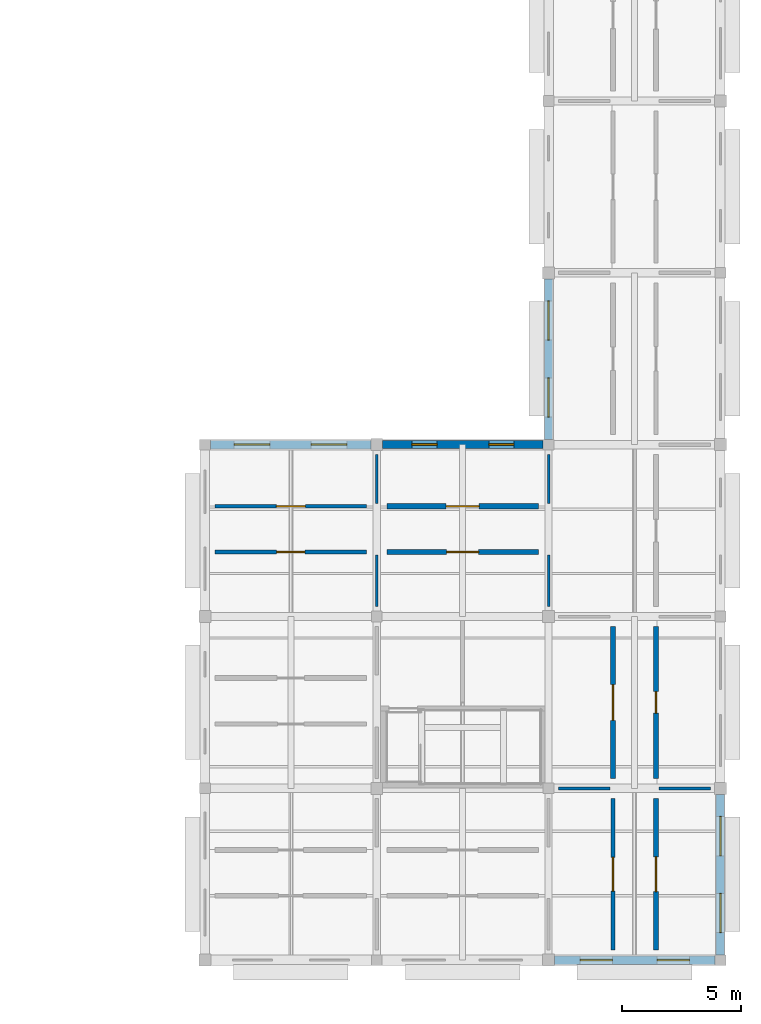
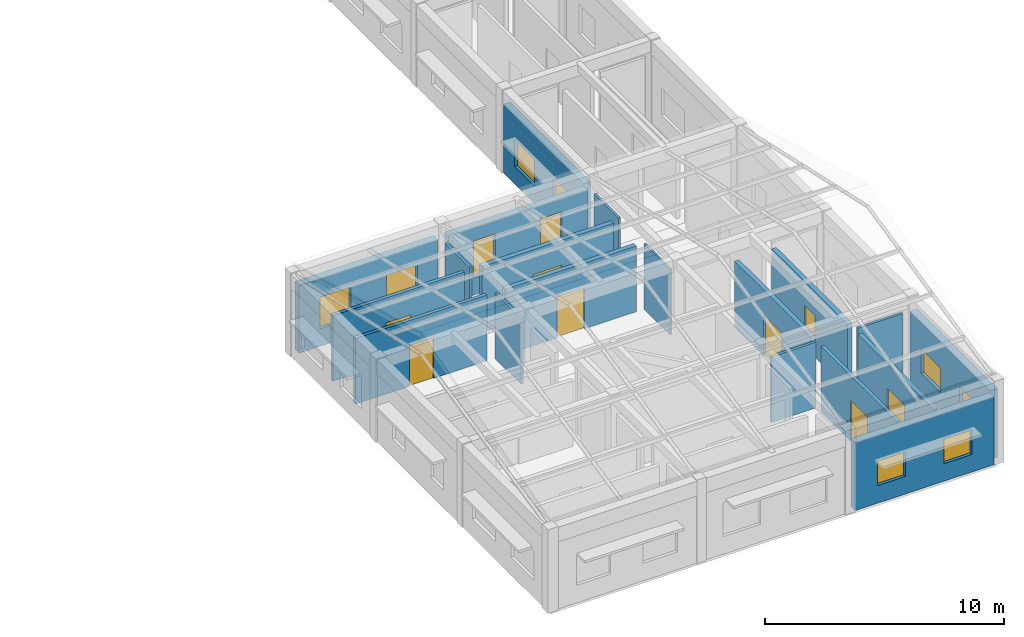
# One storey, part 134 of 171: 19 walls, 10 windows, 8 doors, 18 openings.
"""IFC4 building model written with IfcOpenShell, lengths in metres."""

from ifc_helpers import new_model, si_unit, direction, frame, frame_2d, origin, place, context, subcontext, project, spatial, rectangle, extrude, material, layer, layer_set, type_object, element, fill, save


model = new_model("IFC4")

# Units and contexts
model_context = context("Model", 3, precision=1e-05, world=origin(), true_north=direction((0.0, 1.0)))
body_context = subcontext(model_context, "Body", "Model", "MODEL_VIEW")
ifc_project = project(units=[si_unit("LENGTHUNIT", "METRE"), si_unit("AREAUNIT", "SQUARE_METRE"), si_unit("VOLUMEUNIT", "CUBIC_METRE"), si_unit("PLANEANGLEUNIT", "RADIAN"), si_unit("MASSUNIT", "GRAM", prefix="KILO")], contexts=[model_context])

# Site, building, storey
site_placement = place(None, origin())
site = spatial("IfcSite", under=ifc_project, at=site_placement, CompositionType="ELEMENT")
building_placement = place(site_placement, origin())
building = spatial("IfcBuilding", under=site, at=building_placement, Name="Aldebral Square Health Centre", CompositionType="ELEMENT")
storey_placement = place(building_placement, frame((0.0, 0.0, 4.5)))
storey = spatial("IfcBuildingStorey", under=building, at=storey_placement, Name="L01", CompositionType="ELEMENT", Elevation=4.5)

# Wall, openings, windows
ifc_material_1 = material(Name="Cream cantera stone and concrete wall C35/45", Category="masonry")
ifc_layer_1 = layer(ifc_material_1, 0.340087890625, Name="Cream cantera stone and concrete wall C35/45", Category="masonry")
ifc_layer_set_1 = layer_set([ifc_layer_1], Name="Cream cantera stone and concrete wall C35/45")
wall_type_1 = type_object("IfcWallType", Name="EW-CAN-340", PredefinedType="SOLIDWALL", material=ifc_layer_set_1)
wall_1_placement = place(storey_placement, frame((158.175048828125, 21.60009765625, 0.0), z_axis=(0.0, 0.0, 1.0), x_axis=(-1.0, 0.0, 0.0)))
wall_1 = element("IfcWall", 1, at=wall_1_placement, inside=storey, type_object=wall_type_1, Name="L01 V3 exterior wall L01-V3-21-02-N", PredefinedType="SOLIDWALL", context=body_context, shape_type="SweptSolid", body=[
    extrude(rectangle(XDim=6.72509765625, YDim=0.340087890625, at=frame_2d((3.362548828125, 0.0))), origin(), (0.0, 0.0, 1.0), 3.469970703125),
])
opening_1_placement = place(wall_1_placement, frame((1.22509765625, 0.0, 0.89990234375)))
opening_1 = element("IfcOpeningElement", 2, at=opening_1_placement, cuts=wall_1, Name="Opening W47", PredefinedType="OPENING", context=body_context, shape_type="SweptSolid", body=[
    extrude(rectangle(XDim=1.050048828125, YDim=1.8798828125, at=frame_2d((0.52490234375, 0.93994140625))), frame((0.0, 0.18017578125, 0.0), z_axis=(0.0, -1.0, 0.0), x_axis=(1.0, 0.0, 0.0)), (0.0, 0.0, 1.0), 0.360107421875),
])
opening_2_placement = place(wall_1_placement, frame((4.449951171875, 0.0, 0.89990234375)))
opening_2 = element("IfcOpeningElement", 3, at=opening_2_placement, cuts=wall_1, Name="Opening W47", PredefinedType="OPENING", context=body_context, shape_type="SweptSolid", body=[
    extrude(rectangle(XDim=1.050048828125, YDim=1.8798828125, at=frame_2d((0.52490234375, 0.93994140625))), frame((0.0, 0.18017578125, 0.0), z_axis=(0.0, -1.0, 0.0), x_axis=(1.0, 0.0, 0.0)), (0.0, 0.0, 1.0), 0.360107421875),
])
ifc_material_2 = material(Name="Thermally broken aluminium and low-E glass", Category="aluminium")
window_type_1 = type_object("IfcWindowType", Name="WIN-W47", PartitioningType="SINGLE_PANEL", PredefinedType="WINDOW", material=ifc_material_2)
window_1_placement = place(opening_1_placement, origin())
window_1 = element("IfcWindow", 4, at=window_1_placement, inside=storey, type_object=window_type_1, Name="L01 clinical window L01-V3-21-02-N.1", OverallHeight=1.8798828125, OverallWidth=1.050048828125, PartitioningType="SINGLE_PANEL", PredefinedType="WINDOW", context=body_context, shape_type="SweptSolid", body=[
    extrude(rectangle(XDim=1.050048828125, YDim=1.8798828125, at=frame_2d((0.52490234375, 0.93994140625))), frame((0.0, 0.030029296875, 0.0), z_axis=(0.0, -1.0, 0.0), x_axis=(1.0, 0.0, 0.0)), (0.0, 0.0, 1.0), 0.06005859375),
])
fill(opening_1, window_1)
window_2_placement = place(opening_2_placement, origin())
window_2 = element("IfcWindow", 5, at=window_2_placement, inside=storey, type_object=window_type_1, Name="L01 clinical window L01-V3-21-02-N.2", OverallHeight=1.8798828125, OverallWidth=1.050048828125, PartitioningType="SINGLE_PANEL", PredefinedType="WINDOW", context=body_context, shape_type="SweptSolid", body=[
    extrude(rectangle(XDim=1.050048828125, YDim=1.8798828125, at=frame_2d((0.52490234375, 0.93994140625))), frame((0.0, 0.030029296875, 0.0), z_axis=(0.0, -1.0, 0.0), x_axis=(1.0, 0.0, 0.0)), (0.0, 0.0, 1.0), 0.06005859375),
])
fill(opening_2, window_2)

wall_2_placement = place(storey_placement, frame((158.39990234375, 28.550048828125, 0.0), z_axis=(0.0, 0.0, 1.0), x_axis=(0.0, -1.0, 0.0)))
wall_2 = element("IfcWall", 6, at=wall_2_placement, inside=storey, type_object=wall_type_1, Name="L01 V3 exterior wall L01-V3-22-03-W", PredefinedType="SOLIDWALL", context=body_context, shape_type="SweptSolid", body=[
    extrude(rectangle(XDim=6.72509765625, YDim=0.340087890625, at=frame_2d((3.362548828125, 0.0))), origin(), (0.0, 0.0, 1.0), 3.52001953125),
])
opening_3_placement = place(wall_2_placement, frame((0.925048828125, 0.0, 0.89990234375)))
opening_3 = element("IfcOpeningElement", 7, at=opening_3_placement, cuts=wall_2, Name="Opening W15", PredefinedType="OPENING", context=body_context, shape_type="SweptSolid", body=[
    extrude(rectangle(XDim=1.64990234375, YDim=1.3798828125, at=frame_2d((0.824951171875, 0.68994140625))), frame((0.0, 0.18017578125, 0.0), z_axis=(0.0, -1.0, 0.0), x_axis=(1.0, 0.0, 0.0)), (0.0, 0.0, 1.0), 0.360107421875),
])
opening_4_placement = place(wall_2_placement, frame((4.14990234375, 0.0, 0.89990234375)))
opening_4 = element("IfcOpeningElement", 8, at=opening_4_placement, cuts=wall_2, Name="Opening W15", PredefinedType="OPENING", context=body_context, shape_type="SweptSolid", body=[
    extrude(rectangle(XDim=1.64990234375, YDim=1.3798828125, at=frame_2d((0.824951171875, 0.68994140625))), frame((0.0, 0.18017578125, 0.0), z_axis=(0.0, -1.0, 0.0), x_axis=(1.0, 0.0, 0.0)), (0.0, 0.0, 1.0), 0.360107421875),
])
window_type_2 = type_object("IfcWindowType", Name="WIN-W15", PartitioningType="SINGLE_PANEL", PredefinedType="WINDOW", material=ifc_material_2)
window_3_placement = place(opening_3_placement, origin())
window_3 = element("IfcWindow", 9, at=window_3_placement, inside=storey, type_object=window_type_2, Name="L01 clinical window L01-V3-22-03-W.1", OverallHeight=1.3798828125, OverallWidth=1.64990234375, PartitioningType="SINGLE_PANEL", PredefinedType="WINDOW", context=body_context, shape_type="SweptSolid", body=[
    extrude(rectangle(XDim=1.64990234375, YDim=1.3798828125, at=frame_2d((0.824951171875, 0.68994140625))), frame((0.0, 0.030029296875, 0.0), z_axis=(0.0, -1.0, 0.0), x_axis=(1.0, 0.0, 0.0)), (0.0, 0.0, 1.0), 0.06005859375),
])
fill(opening_3, window_3)
window_4_placement = place(opening_4_placement, origin())
window_4 = element("IfcWindow", 10, at=window_4_placement, inside=storey, type_object=window_type_2, Name="L01 clinical window L01-V3-22-03-W.2", OverallHeight=1.3798828125, OverallWidth=1.64990234375, PartitioningType="SINGLE_PANEL", PredefinedType="WINDOW", context=body_context, shape_type="SweptSolid", body=[
    extrude(rectangle(XDim=1.64990234375, YDim=1.3798828125, at=frame_2d((0.824951171875, 0.68994140625))), frame((0.0, 0.030029296875, 0.0), z_axis=(0.0, -1.0, 0.0), x_axis=(1.0, 0.0, 0.0)), (0.0, 0.0, 1.0), 0.06005859375),
])
fill(opening_4, window_4)

ifc_layer_2 = layer(ifc_material_1, 0.360107421875, Name="Cream cantera stone and concrete wall C35/45", Category="masonry")
ifc_layer_set_2 = layer_set([ifc_layer_2], Name="Cream cantera stone and concrete wall C35/45")
wall_type_2 = type_object("IfcWallType", Name="EW-CAN-360", PredefinedType="SOLIDWALL", material=ifc_layer_set_2)
wall_3_placement = place(storey_placement, frame((150.949951171875, 21.60009765625, 0.0), z_axis=(0.0, 0.0, 1.0), x_axis=(-1.0, 0.0, 0.0)))
wall_3 = element("IfcWall", 11, at=wall_3_placement, inside=storey, type_object=wall_type_2, Name="L01 V3 exterior wall L01-V3-20-02-N", PredefinedType="SOLIDWALL", context=body_context, shape_type="SweptSolid", body=[
    extrude(rectangle(XDim=6.724853515625, YDim=0.360107421875, at=frame_2d((3.3623046875, 0.0))), origin(), (0.0, 0.0, 1.0), 3.469970703125),
])
opening_5_placement = place(wall_3_placement, frame((1.0, 0.0, 0.89990234375)))
opening_5 = element("IfcOpeningElement", 12, at=opening_5_placement, cuts=wall_3, Name="Opening W32", PredefinedType="OPENING", context=body_context, shape_type="SweptSolid", body=[
    extrude(rectangle(XDim=1.5, YDim=1.6201171875, at=frame_2d((0.75, 0.81005859375))), frame((0.0, 0.18994140625, 0.0), z_axis=(0.0, -1.0, 0.0), x_axis=(1.0, 0.0, 0.0)), (0.0, 0.0, 1.0), 0.380126953125),
])
opening_6_placement = place(wall_3_placement, frame((4.22509765625, 0.0, 0.89990234375)))
opening_6 = element("IfcOpeningElement", 13, at=opening_6_placement, cuts=wall_3, Name="Opening W32", PredefinedType="OPENING", context=body_context, shape_type="SweptSolid", body=[
    extrude(rectangle(XDim=1.5, YDim=1.6201171875, at=frame_2d((0.75, 0.81005859375))), frame((0.0, 0.18994140625, 0.0), z_axis=(0.0, -1.0, 0.0), x_axis=(1.0, 0.0, 0.0)), (0.0, 0.0, 1.0), 0.380126953125),
])
window_type_3 = type_object("IfcWindowType", Name="WIN-W32", PartitioningType="SINGLE_PANEL", PredefinedType="WINDOW", material=ifc_material_2)
window_5_placement = place(opening_5_placement, origin())
window_5 = element("IfcWindow", 14, at=window_5_placement, inside=storey, type_object=window_type_3, Name="L01 clinical window L01-V3-20-02-N.1", OverallHeight=1.6201171875, OverallWidth=1.5, PartitioningType="SINGLE_PANEL", PredefinedType="WINDOW", context=body_context, shape_type="SweptSolid", body=[
    extrude(rectangle(XDim=1.5, YDim=1.6201171875, at=frame_2d((0.75, 0.81005859375))), frame((0.0, 0.030029296875, 0.0), z_axis=(0.0, -1.0, 0.0), x_axis=(1.0, 0.0, 0.0)), (0.0, 0.0, 1.0), 0.06005859375),
])
fill(opening_5, window_5)
window_6_placement = place(opening_6_placement, origin())
window_6 = element("IfcWindow", 15, at=window_6_placement, inside=storey, type_object=window_type_3, Name="L01 clinical window L01-V3-20-02-N.2", OverallHeight=1.6201171875, OverallWidth=1.5, PartitioningType="SINGLE_PANEL", PredefinedType="WINDOW", context=body_context, shape_type="SweptSolid", body=[
    extrude(rectangle(XDim=1.5, YDim=1.6201171875, at=frame_2d((0.75, 0.81005859375))), frame((0.0, 0.030029296875, 0.0), z_axis=(0.0, -1.0, 0.0), x_axis=(1.0, 0.0, 0.0)), (0.0, 0.0, 1.0), 0.06005859375),
])
fill(opening_6, window_6)

wall_4_placement = place(storey_placement, frame((158.64990234375, 0.0, 0.0), z_axis=(0.0, 0.0, 1.0), x_axis=(1.0, 0.0, 0.0)))
wall_4 = element("IfcWall", 16, at=wall_4_placement, inside=storey, type_object=wall_type_2, Name="L01 V3 exterior wall L01-V3-22-00-S", PredefinedType="SOLIDWALL", context=body_context, shape_type="SweptSolid", body=[
    extrude(rectangle(XDim=6.72509765625, YDim=0.360107421875, at=frame_2d((3.362548828125, 0.0))), origin(), (0.0, 0.0, 1.0), 3.469970703125),
])
opening_7_placement = place(wall_4_placement, frame((1.074951171875, 0.0, 0.89990234375)))
opening_7 = element("IfcOpeningElement", 17, at=opening_7_placement, cuts=wall_4, Name="Opening W04", PredefinedType="OPENING", context=body_context, shape_type="SweptSolid", body=[
    extrude(rectangle(XDim=1.35009765625, YDim=1.25, at=frame_2d((0.675048828125, 0.625))), frame((0.0, 0.18994140625, 0.0), z_axis=(0.0, -1.0, 0.0), x_axis=(1.0, 0.0, 0.0)), (0.0, 0.0, 1.0), 0.380126953125),
])
opening_8_placement = place(wall_4_placement, frame((4.300048828125, 0.0, 0.89990234375)))
opening_8 = element("IfcOpeningElement", 18, at=opening_8_placement, cuts=wall_4, Name="Opening W04", PredefinedType="OPENING", context=body_context, shape_type="SweptSolid", body=[
    extrude(rectangle(XDim=1.35009765625, YDim=1.25, at=frame_2d((0.675048828125, 0.625))), frame((0.0, 0.18994140625, 0.0), z_axis=(0.0, -1.0, 0.0), x_axis=(1.0, 0.0, 0.0)), (0.0, 0.0, 1.0), 0.380126953125),
])
window_type_4 = type_object("IfcWindowType", Name="WIN-W04", PartitioningType="SINGLE_PANEL", PredefinedType="WINDOW", material=ifc_material_2)
window_7_placement = place(opening_7_placement, origin())
window_7 = element("IfcWindow", 19, at=window_7_placement, inside=storey, type_object=window_type_4, Name="L01 clinical window L01-V3-22-00-S.1", OverallHeight=1.25, OverallWidth=1.35009765625, PartitioningType="SINGLE_PANEL", PredefinedType="WINDOW", context=body_context, shape_type="SweptSolid", body=[
    extrude(rectangle(XDim=1.35009765625, YDim=1.25, at=frame_2d((0.675048828125, 0.625))), frame((0.0, 0.030029296875, 0.0), z_axis=(0.0, -1.0, 0.0), x_axis=(1.0, 0.0, 0.0)), (0.0, 0.0, 1.0), 0.06005859375),
])
fill(opening_7, window_7)
window_8_placement = place(opening_8_placement, origin())
window_8 = element("IfcWindow", 20, at=window_8_placement, inside=storey, type_object=window_type_4, Name="L01 clinical window L01-V3-22-00-S.2", OverallHeight=1.25, OverallWidth=1.35009765625, PartitioningType="SINGLE_PANEL", PredefinedType="WINDOW", context=body_context, shape_type="SweptSolid", body=[
    extrude(rectangle(XDim=1.35009765625, YDim=1.25, at=frame_2d((0.675048828125, 0.625))), frame((0.0, 0.030029296875, 0.0), z_axis=(0.0, -1.0, 0.0), x_axis=(1.0, 0.0, 0.0)), (0.0, 0.0, 1.0), 0.06005859375),
])
fill(opening_8, window_8)

wall_5_placement = place(storey_placement, frame((165.60009765625, 0.22509765625, 0.0), z_axis=(0.0, 0.0, 1.0), x_axis=(0.0, 1.0, 0.0)))
wall_5 = element("IfcWall", 21, at=wall_5_placement, inside=storey, type_object=wall_type_2, Name="L01 V3 exterior wall L01-V3-22-00-E", PredefinedType="SOLIDWALL", context=body_context, shape_type="SweptSolid", body=[
    extrude(rectangle(XDim=6.724853515625, YDim=0.360107421875, at=frame_2d((3.3623046875, 0.0))), origin(), (0.0, 0.0, 1.0), 3.52001953125),
])
opening_9_placement = place(wall_5_placement, frame((0.925048828125, 0.0, 0.89990234375)))
opening_9 = element("IfcOpeningElement", 22, at=opening_9_placement, cuts=wall_5, Name="Opening W06", PredefinedType="OPENING", context=body_context, shape_type="SweptSolid", body=[
    extrude(rectangle(XDim=1.64990234375, YDim=1.25, at=frame_2d((0.824951171875, 0.625))), frame((0.0, 0.18994140625, 0.0), z_axis=(0.0, -1.0, 0.0), x_axis=(1.0, 0.0, 0.0)), (0.0, 0.0, 1.0), 0.380126953125),
])
opening_10_placement = place(wall_5_placement, frame((4.14990234375, 0.0, 0.89990234375)))
opening_10 = element("IfcOpeningElement", 23, at=opening_10_placement, cuts=wall_5, Name="Opening W06", PredefinedType="OPENING", context=body_context, shape_type="SweptSolid", body=[
    extrude(rectangle(XDim=1.64990234375, YDim=1.25, at=frame_2d((0.824951171875, 0.625))), frame((0.0, 0.18994140625, 0.0), z_axis=(0.0, -1.0, 0.0), x_axis=(1.0, 0.0, 0.0)), (0.0, 0.0, 1.0), 0.380126953125),
])
window_type_5 = type_object("IfcWindowType", Name="WIN-W06", PartitioningType="SINGLE_PANEL", PredefinedType="WINDOW", material=ifc_material_2)
window_9_placement = place(opening_9_placement, origin())
window_9 = element("IfcWindow", 24, at=window_9_placement, inside=storey, type_object=window_type_5, Name="L01 clinical window L01-V3-22-00-E.1", OverallHeight=1.25, OverallWidth=1.64990234375, PartitioningType="SINGLE_PANEL", PredefinedType="WINDOW", context=body_context, shape_type="SweptSolid", body=[
    extrude(rectangle(XDim=1.64990234375, YDim=1.25, at=frame_2d((0.824951171875, 0.625))), frame((0.0, 0.030029296875, 0.0), z_axis=(0.0, -1.0, 0.0), x_axis=(1.0, 0.0, 0.0)), (0.0, 0.0, 1.0), 0.06005859375),
])
fill(opening_9, window_9)
window_10_placement = place(opening_10_placement, origin())
window_10 = element("IfcWindow", 25, at=window_10_placement, inside=storey, type_object=window_type_5, Name="L01 clinical window L01-V3-22-00-E.2", OverallHeight=1.25, OverallWidth=1.64990234375, PartitioningType="SINGLE_PANEL", PredefinedType="WINDOW", context=body_context, shape_type="SweptSolid", body=[
    extrude(rectangle(XDim=1.64990234375, YDim=1.25, at=frame_2d((0.824951171875, 0.625))), frame((0.0, 0.030029296875, 0.0), z_axis=(0.0, -1.0, 0.0), x_axis=(1.0, 0.0, 0.0)), (0.0, 0.0, 1.0), 0.06005859375),
])
fill(opening_10, window_10)

# Wall, opening, door
ifc_material_3 = material(Name="Concrete C35/45 compartment wall", Category="concrete")
ifc_layer_3 = layer(ifc_material_3, 0.219970703125, Name="Concrete C35/45 compartment wall", Category="concrete")
ifc_layer_set_3 = layer_set([ifc_layer_3], Name="Concrete C35/45 compartment wall")
wall_type_3 = type_object("IfcWallType", Name="IW-CMP-220", PredefinedType="SOLIDWALL", material=ifc_layer_set_3)
wall_6_placement = place(storey_placement, frame((151.6201171875, 17.10009765625, 0.0), z_axis=(0.0, 0.0, 1.0), x_axis=(1.0, 0.0, 0.0)))
wall_6 = element("IfcWall", 26, at=wall_6_placement, inside=storey, type_object=wall_type_3, Name="L01 Therapy Pavilion Studio 22.3S corridor wall", PredefinedType="SOLIDWALL", context=body_context, shape_type="SweptSolid", body=[
    extrude(rectangle(XDim=6.35986328125, YDim=0.219970703125, at=frame_2d((3.179931640625, 0.0))), origin(), (0.0, 0.0, 1.0), 3.360107421875),
])
opening_11_placement = place(wall_6_placement, frame((2.510009765625, 0.0, 0.0)))
opening_11 = element("IfcOpeningElement", 27, at=opening_11_placement, cuts=wall_6, Name="Opening D-0249", PredefinedType="OPENING", context=body_context, shape_type="SweptSolid", body=[
    extrude(rectangle(XDim=1.340087890625, YDim=2.090087890625, at=frame_2d((0.669921875, 1.044921875))), frame((0.0, 0.1201171875, 0.0), z_axis=(0.0, -1.0, 0.0), x_axis=(1.0, 0.0, 0.0)), (0.0, 0.0, 1.0), 0.239990234375),
])
ifc_material_4 = material(Name="Clinical suite fire door")
door_type_1 = type_object("IfcDoorType", Name="ID-EXD-27", OperationType="NOTDEFINED", PredefinedType="DOOR", material=ifc_material_4)
door_1_placement = place(opening_11_placement, origin())
door_1 = element("IfcDoor", 28, at=door_1_placement, inside=storey, type_object=door_type_1, Name="L01 Therapy Pavilion Studio 22.3S door", OperationType="SINGLE_SWING_RIGHT", OverallHeight=2.090087890625, OverallWidth=1.340087890625, PredefinedType="DOOR", context=body_context, shape_type="SweptSolid", body=[
    extrude(rectangle(XDim=1.340087890625, YDim=2.090087890625, at=frame_2d((0.669921875, 1.044921875))), frame((0.0, 0.02490234375, 0.0), z_axis=(0.0, -1.0, 0.0), x_axis=(1.0, 0.0, 0.0)), (0.0, 0.0, 1.0), 0.050048828125),
])
fill(opening_11, door_1)

wall_7_placement = place(storey_placement, frame((151.6201171875, 19.02001953125, 0.0), z_axis=(0.0, 0.0, 1.0), x_axis=(1.0, 0.0, 0.0)))
wall_7 = element("IfcWall", 29, at=wall_7_placement, inside=storey, type_object=wall_type_3, Name="L01 Occupational Therapy Workshop 22.3N corridor wall", PredefinedType="SOLIDWALL", context=body_context, shape_type="SweptSolid", body=[
    extrude(rectangle(XDim=6.35986328125, YDim=0.219970703125, at=frame_2d((3.179931640625, 0.0))), origin(), (0.0, 0.0, 1.0), 3.360107421875),
])
opening_12_placement = place(wall_7_placement, frame((2.489990234375, 0.0, 0.0)))
opening_12 = element("IfcOpeningElement", 30, at=opening_12_placement, cuts=wall_7, Name="Opening D-0250", PredefinedType="OPENING", context=body_context, shape_type="SweptSolid", body=[
    extrude(rectangle(XDim=1.3798828125, YDim=2.090087890625, at=frame_2d((0.68994140625, 1.044921875))), frame((0.0, 0.1201171875, 0.0), z_axis=(0.0, -1.0, 0.0), x_axis=(1.0, 0.0, 0.0)), (0.0, 0.0, 1.0), 0.239990234375),
])
door_type_2 = type_object("IfcDoorType", Name="ID-EXD-28", OperationType="NOTDEFINED", PredefinedType="DOOR", material=ifc_material_4)
door_2_placement = place(opening_12_placement, origin())
door_2 = element("IfcDoor", 31, at=door_2_placement, inside=storey, type_object=door_type_2, Name="L01 Occupational Therapy Workshop 22.3N door", OperationType="SINGLE_SWING_LEFT", OverallHeight=2.090087890625, OverallWidth=1.3798828125, PredefinedType="DOOR", context=body_context, shape_type="SweptSolid", body=[
    extrude(rectangle(XDim=1.3798828125, YDim=2.090087890625, at=frame_2d((0.68994140625, 1.044921875))), frame((0.0, 0.02490234375, 0.0), z_axis=(0.0, -1.0, 0.0), x_axis=(1.0, 0.0, 0.0)), (0.0, 0.0, 1.0), 0.050048828125),
])
fill(opening_12, door_2)

wall_8_placement = place(storey_placement, frame((161.10009765625, 7.6201171875, 0.0), z_axis=(0.0, 0.0, 1.0), x_axis=(0.0, 1.0, 0.0)))
wall_8 = element("IfcWall", 32, at=wall_8_placement, inside=storey, type_object=wall_type_3, Name="L01 Therapy Pavilion Studio 23.2W corridor wall", PredefinedType="SOLIDWALL", context=body_context, shape_type="SweptSolid", body=[
    extrude(rectangle(XDim=6.35986328125, YDim=0.219970703125, at=frame_2d((3.179931640625, 0.0))), origin(), (0.0, 0.0, 1.0), 3.360107421875),
])
opening_13_placement = place(wall_8_placement, frame((2.429931640625, 0.0, 0.0)))
opening_13 = element("IfcOpeningElement", 33, at=opening_13_placement, cuts=wall_8, Name="Opening D-0253", PredefinedType="OPENING", context=body_context, shape_type="SweptSolid", body=[
    extrude(rectangle(XDim=1.5, YDim=2.090087890625, at=frame_2d((0.75, 1.044921875))), frame((0.0, 0.1201171875, 0.0), z_axis=(0.0, -1.0, 0.0), x_axis=(1.0, 0.0, 0.0)), (0.0, 0.0, 1.0), 0.239990234375),
])
door_type_3 = type_object("IfcDoorType", Name="ID-EXD-31", OperationType="NOTDEFINED", PredefinedType="DOOR", material=ifc_material_4)
door_3_placement = place(opening_13_placement, origin())
door_3 = element("IfcDoor", 34, at=door_3_placement, inside=storey, type_object=door_type_3, Name="L01 Therapy Pavilion Studio 23.2W door", OperationType="SINGLE_SWING_RIGHT", OverallHeight=2.090087890625, OverallWidth=1.5, PredefinedType="DOOR", context=body_context, shape_type="SweptSolid", body=[
    extrude(rectangle(XDim=1.5, YDim=2.090087890625, at=frame_2d((0.75, 1.044921875))), frame((0.0, 0.02490234375, 0.0), z_axis=(0.0, -1.0, 0.0), x_axis=(1.0, 0.0, 0.0)), (0.0, 0.0, 1.0), 0.050048828125),
])
fill(opening_13, door_3)

wall_9_placement = place(storey_placement, frame((162.89990234375, 7.6201171875, 0.0), z_axis=(0.0, 0.0, 1.0), x_axis=(0.0, 1.0, 0.0)))
wall_9 = element("IfcWall", 35, at=wall_9_placement, inside=storey, type_object=wall_type_3, Name="L01 Occupational Therapy Workshop 23.2E corridor wall", PredefinedType="SOLIDWALL", context=body_context, shape_type="SweptSolid", body=[
    extrude(rectangle(XDim=6.35986328125, YDim=0.219970703125, at=frame_2d((3.179931640625, 0.0))), origin(), (0.0, 0.0, 1.0), 3.360107421875),
])
opening_14_placement = place(wall_9_placement, frame((2.72998046875, 0.0, 0.0)))
opening_14 = element("IfcOpeningElement", 36, at=opening_14_placement, cuts=wall_9, Name="Opening D-0254", PredefinedType="OPENING", context=body_context, shape_type="SweptSolid", body=[
    extrude(rectangle(XDim=0.89990234375, YDim=2.139892578125, at=frame_2d((0.449951171875, 1.06982421875))), frame((0.0, 0.1201171875, 0.0), z_axis=(0.0, -1.0, 0.0), x_axis=(1.0, 0.0, 0.0)), (0.0, 0.0, 1.0), 0.239990234375),
])
door_type_4 = type_object("IfcDoorType", Name="ID-EXD-32", OperationType="NOTDEFINED", PredefinedType="DOOR", material=ifc_material_4)
door_4_placement = place(opening_14_placement, origin())
door_4 = element("IfcDoor", 37, at=door_4_placement, inside=storey, type_object=door_type_4, Name="L01 Occupational Therapy Workshop 23.2E door", OperationType="SINGLE_SWING_LEFT", OverallHeight=2.139892578125, OverallWidth=0.89990234375, PredefinedType="DOOR", context=body_context, shape_type="SweptSolid", body=[
    extrude(rectangle(XDim=0.89990234375, YDim=2.139892578125, at=frame_2d((0.449951171875, 1.06982421875))), frame((0.0, 0.02490234375, 0.0), z_axis=(0.0, -1.0, 0.0), x_axis=(1.0, 0.0, 0.0)), (0.0, 0.0, 1.0), 0.050048828125),
])
fill(opening_14, door_4)

ifc_material_5 = material(Name="Fire-rated acoustic gypsum partition")
ifc_layer_4 = layer(ifc_material_5, 0.1650390625, Name="Fire-rated acoustic gypsum partition")
ifc_layer_set_4 = layer_set([ifc_layer_4], Name="Fire-rated acoustic gypsum partition")
wall_type_4 = type_object("IfcWallType", Name="IW-COR-165", PredefinedType="PARTITIONING", material=ifc_layer_set_4)
wall_10_placement = place(storey_placement, frame((144.419921875, 17.10009765625, 0.0), z_axis=(0.0, 0.0, 1.0), x_axis=(1.0, 0.0, 0.0)))
wall_10 = element("IfcWall", 38, at=wall_10_placement, inside=storey, type_object=wall_type_4, Name="L01 Therapy Pavilion Studio 21.3S corridor wall", PredefinedType="PARTITIONING", context=body_context, shape_type="SweptSolid", body=[
    extrude(rectangle(XDim=6.360107421875, YDim=0.1650390625, at=frame_2d((3.18017578125, 0.0))), origin(), (0.0, 0.0, 1.0), 3.360107421875),
])
opening_15_placement = place(wall_10_placement, frame((2.590087890625, 0.0, 0.0)))
opening_15 = element("IfcOpeningElement", 39, at=opening_15_placement, cuts=wall_10, Name="Opening D-0245", PredefinedType="OPENING", context=body_context, shape_type="SweptSolid", body=[
    extrude(rectangle(XDim=1.179931640625, YDim=2.090087890625, at=frame_2d((0.58984375, 1.044921875))), frame((0.0, 0.092529296875, 0.0), z_axis=(0.0, -1.0, 0.0), x_axis=(1.0, 0.0, 0.0)), (0.0, 0.0, 1.0), 0.18505859375),
])
door_type_5 = type_object("IfcDoorType", Name="ID-EXD-23", OperationType="NOTDEFINED", PredefinedType="DOOR", material=ifc_material_4)
door_5_placement = place(opening_15_placement, origin())
door_5 = element("IfcDoor", 40, at=door_5_placement, inside=storey, type_object=door_type_5, Name="L01 Therapy Pavilion Studio 21.3S door", OperationType="SINGLE_SWING_RIGHT", OverallHeight=2.090087890625, OverallWidth=1.179931640625, PredefinedType="DOOR", context=body_context, shape_type="SweptSolid", body=[
    extrude(rectangle(XDim=1.179931640625, YDim=2.090087890625, at=frame_2d((0.58984375, 1.044921875))), frame((0.0, 0.02490234375, 0.0), z_axis=(0.0, -1.0, 0.0), x_axis=(1.0, 0.0, 0.0)), (0.0, 0.0, 1.0), 0.050048828125),
])
fill(opening_15, door_5)

wall_11_placement = place(storey_placement, frame((144.419921875, 19.02001953125, 0.0), z_axis=(0.0, 0.0, 1.0), x_axis=(1.0, 0.0, 0.0)))
wall_11 = element("IfcWall", 41, at=wall_11_placement, inside=storey, type_object=wall_type_4, Name="L01 Occupational Therapy Workshop 21.3N corridor wall", PredefinedType="PARTITIONING", context=body_context, shape_type="SweptSolid", body=[
    extrude(rectangle(XDim=6.360107421875, YDim=0.1650390625, at=frame_2d((3.18017578125, 0.0))), origin(), (0.0, 0.0, 1.0), 3.360107421875),
])
opening_16_placement = place(wall_11_placement, frame((2.570068359375, 0.0, 0.0)))
opening_16 = element("IfcOpeningElement", 42, at=opening_16_placement, cuts=wall_11, Name="Opening D-0246", PredefinedType="OPENING", context=body_context, shape_type="SweptSolid", body=[
    extrude(rectangle(XDim=1.219970703125, YDim=2.090087890625, at=frame_2d((0.60986328125, 1.044921875))), frame((0.0, 0.092529296875, 0.0), z_axis=(0.0, -1.0, 0.0), x_axis=(1.0, 0.0, 0.0)), (0.0, 0.0, 1.0), 0.18505859375),
])
door_type_6 = type_object("IfcDoorType", Name="ID-EXD-24", OperationType="NOTDEFINED", PredefinedType="DOOR", material=ifc_material_4)
door_6_placement = place(opening_16_placement, origin())
door_6 = element("IfcDoor", 43, at=door_6_placement, inside=storey, type_object=door_type_6, Name="L01 Occupational Therapy Workshop 21.3N door", OperationType="SINGLE_SWING_LEFT", OverallHeight=2.090087890625, OverallWidth=1.219970703125, PredefinedType="DOOR", context=body_context, shape_type="SweptSolid", body=[
    extrude(rectangle(XDim=1.219970703125, YDim=2.090087890625, at=frame_2d((0.60986328125, 1.044921875))), frame((0.0, 0.02490234375, 0.0), z_axis=(0.0, -1.0, 0.0), x_axis=(1.0, 0.0, 0.0)), (0.0, 0.0, 1.0), 0.050048828125),
])
fill(opening_16, door_6)

wall_12_placement = place(storey_placement, frame((161.10009765625, 0.419921875, 0.0), z_axis=(0.0, 0.0, 1.0), x_axis=(0.0, 1.0, 0.0)))
wall_12 = element("IfcWall", 44, at=wall_12_placement, inside=storey, type_object=wall_type_4, Name="L01 Sensory Recovery Suite 23.1W corridor wall", PredefinedType="PARTITIONING", context=body_context, shape_type="SweptSolid", body=[
    extrude(rectangle(XDim=6.360107421875, YDim=0.1650390625, at=frame_2d((3.18017578125, 0.0))), origin(), (0.0, 0.0, 1.0), 3.360107421875),
])
opening_17_placement = place(wall_12_placement, frame((2.469970703125, 0.0, 0.0)))
opening_17 = element("IfcOpeningElement", 45, at=opening_17_placement, cuts=wall_12, Name="Opening D-0251", PredefinedType="OPENING", context=body_context, shape_type="SweptSolid", body=[
    extrude(rectangle(XDim=1.419921875, YDim=2.090087890625, at=frame_2d((0.7099609375, 1.044921875))), frame((0.0, 0.092529296875, 0.0), z_axis=(0.0, -1.0, 0.0), x_axis=(1.0, 0.0, 0.0)), (0.0, 0.0, 1.0), 0.18505859375),
])
door_type_7 = type_object("IfcDoorType", Name="ID-EXD-29", OperationType="NOTDEFINED", PredefinedType="DOOR", material=ifc_material_4)
door_7_placement = place(opening_17_placement, origin())
door_7 = element("IfcDoor", 46, at=door_7_placement, inside=storey, type_object=door_type_7, Name="L01 Sensory Recovery Suite 23.1W door", OperationType="SINGLE_SWING_RIGHT", OverallHeight=2.090087890625, OverallWidth=1.419921875, PredefinedType="DOOR", context=body_context, shape_type="SweptSolid", body=[
    extrude(rectangle(XDim=1.419921875, YDim=2.090087890625, at=frame_2d((0.7099609375, 1.044921875))), frame((0.0, 0.02490234375, 0.0), z_axis=(0.0, -1.0, 0.0), x_axis=(1.0, 0.0, 0.0)), (0.0, 0.0, 1.0), 0.050048828125),
])
fill(opening_17, door_7)

ifc_material_6 = material(Name="Moisture-resistant sanitary chase wall")
ifc_layer_5 = layer(ifc_material_6, 0.2099609375, Name="Moisture-resistant sanitary chase wall")
ifc_layer_set_5 = layer_set([ifc_layer_5], Name="Moisture-resistant sanitary chase wall")
wall_type_5 = type_object("IfcWallType", Name="IW-PLB-210", PredefinedType="PLUMBINGWALL", material=ifc_layer_set_5)
wall_13_placement = place(storey_placement, frame((162.89990234375, 0.419921875, 0.0), z_axis=(0.0, 0.0, 1.0), x_axis=(0.0, 1.0, 0.0)))
wall_13 = element("IfcWall", 47, at=wall_13_placement, inside=storey, type_object=wall_type_5, Name="L01 Accessible WC 23.1E corridor wall", PredefinedType="PLUMBINGWALL", context=body_context, shape_type="SweptSolid", body=[
    extrude(rectangle(XDim=6.360107421875, YDim=0.2099609375, at=frame_2d((3.18017578125, 0.0))), origin(), (0.0, 0.0, 1.0), 3.360107421875),
])
opening_18_placement = place(wall_13_placement, frame((2.449951171875, 0.0, 0.0)))
opening_18 = element("IfcOpeningElement", 48, at=opening_18_placement, cuts=wall_13, Name="Opening D-0252", PredefinedType="OPENING", context=body_context, shape_type="SweptSolid", body=[
    extrude(rectangle(XDim=1.4599609375, YDim=2.090087890625, at=frame_2d((0.72998046875, 1.044921875))), frame((0.0, 0.114990234375, 0.0), z_axis=(0.0, -1.0, 0.0), x_axis=(1.0, 0.0, 0.0)), (0.0, 0.0, 1.0), 0.22998046875),
])
door_type_8 = type_object("IfcDoorType", Name="ID-EXD-30", OperationType="NOTDEFINED", PredefinedType="DOOR", material=ifc_material_4)
door_8_placement = place(opening_18_placement, origin())
door_8 = element("IfcDoor", 49, at=door_8_placement, inside=storey, type_object=door_type_8, Name="L01 Accessible WC 23.1E door", OperationType="SINGLE_SWING_LEFT", OverallHeight=2.090087890625, OverallWidth=1.4599609375, PredefinedType="DOOR", context=body_context, shape_type="SweptSolid", body=[
    extrude(rectangle(XDim=1.4599609375, YDim=2.090087890625, at=frame_2d((0.72998046875, 1.044921875))), frame((0.0, 0.02490234375, 0.0), z_axis=(0.0, -1.0, 0.0), x_axis=(1.0, 0.0, 0.0)), (0.0, 0.0, 1.0), 0.050048828125),
])
fill(opening_18, door_8)

# Walls
ifc_material_7 = material(Name="Lightweight clinical partition")
ifc_layer_6 = layer(ifc_material_7, 0.10498046875, Name="Lightweight clinical partition")
ifc_layer_set_6 = layer_set([ifc_layer_6], Name="Lightweight clinical partition")
wall_type_6 = type_object("IfcWallType", Name="IW-PRT-105", PredefinedType="PARTITIONING", material=ifc_layer_set_6)
wall_14_placement = place(storey_placement, frame((158.39990234375, 14.820068359375, 0.0), z_axis=(0.0, 0.0, 1.0), x_axis=(0.0, 1.0, 0.0)))
element("IfcWall", 50, at=wall_14_placement, inside=storey, type_object=wall_type_6, Name="L01 Therapy Pavilion Studio 22.3S demising partition", PredefinedType="PARTITIONING", context=body_context, shape_type="SweptSolid", body=[
    extrude(rectangle(XDim=2.159912109375, YDim=0.10498046875, at=frame_2d((1.080078125, 0.0))), origin(), (0.0, 0.0, 1.0), 3.360107421875),
])
wall_15_placement = place(storey_placement, frame((158.39990234375, 19.139892578125, 0.0), z_axis=(0.0, 0.0, 1.0), x_axis=(0.0, 1.0, 0.0)))
element("IfcWall", 51, at=wall_15_placement, inside=storey, type_object=wall_type_6, Name="L01 Occupational Therapy Workshop 22.3N demising partition", PredefinedType="PARTITIONING", context=body_context, shape_type="SweptSolid", body=[
    extrude(rectangle(XDim=2.0400390625, YDim=0.10498046875, at=frame_2d((1.02001953125, 0.0))), origin(), (0.0, 0.0, 1.0), 3.360107421875),
])
ifc_material_8 = material(Name="Acoustic clinical gypsum partition")
ifc_layer_7 = layer(ifc_material_8, 0.1201171875, Name="Acoustic clinical gypsum partition")
ifc_layer_set_7 = layer_set([ifc_layer_7], Name="Acoustic clinical gypsum partition")
wall_type_7 = type_object("IfcWallType", Name="IW-PRT-120", PredefinedType="PARTITIONING", material=ifc_layer_set_7)
wall_16_placement = place(storey_placement, frame((151.199951171875, 14.820068359375, 0.0), z_axis=(0.0, 0.0, 1.0), x_axis=(0.0, 1.0, 0.0)))
element("IfcWall", 52, at=wall_16_placement, inside=storey, type_object=wall_type_7, Name="L01 Therapy Pavilion Studio 21.3S demising partition", PredefinedType="PARTITIONING", context=body_context, shape_type="SweptSolid", body=[
    extrude(rectangle(XDim=2.159912109375, YDim=0.1201171875, at=frame_2d((1.080078125, 0.0))), origin(), (0.0, 0.0, 1.0), 3.360107421875),
])
wall_17_placement = place(storey_placement, frame((151.199951171875, 19.139892578125, 0.0), z_axis=(0.0, 0.0, 1.0), x_axis=(0.0, 1.0, 0.0)))
element("IfcWall", 53, at=wall_17_placement, inside=storey, type_object=wall_type_7, Name="L01 Occupational Therapy Workshop 21.3N demising partition", PredefinedType="PARTITIONING", context=body_context, shape_type="SweptSolid", body=[
    extrude(rectangle(XDim=2.0400390625, YDim=0.1201171875, at=frame_2d((1.02001953125, 0.0))), origin(), (0.0, 0.0, 1.0), 3.360107421875),
])
for number, where, z_axis, x_axis, name in (
    (54, (158.820068359375, 7.199951171875, 0.0), (0.0, 0.0, 1.0), (1.0, 0.0, 0.0), "L01 Sensory Recovery Suite 23.1W demising partition"),
    (55, (163.02001953125, 7.199951171875, 0.0), (0.0, 0.0, 1.0), (1.0, 0.0, 0.0), "L01 Accessible WC 23.1E demising partition"),
):
    element("IfcWall", number, at=place(storey_placement, frame(where, z_axis=z_axis, x_axis=x_axis)), inside=storey, type_object=wall_type_7, Name=name, PredefinedType="PARTITIONING", context=body_context, shape_type="SweptSolid", body=[
        extrude(rectangle(XDim=2.159912109375, YDim=0.1201171875, at=frame_2d((1.080078125, 0.0))), origin(), (0.0, 0.0, 1.0), 3.360107421875),
    ])

save(model, "model.ifc")
